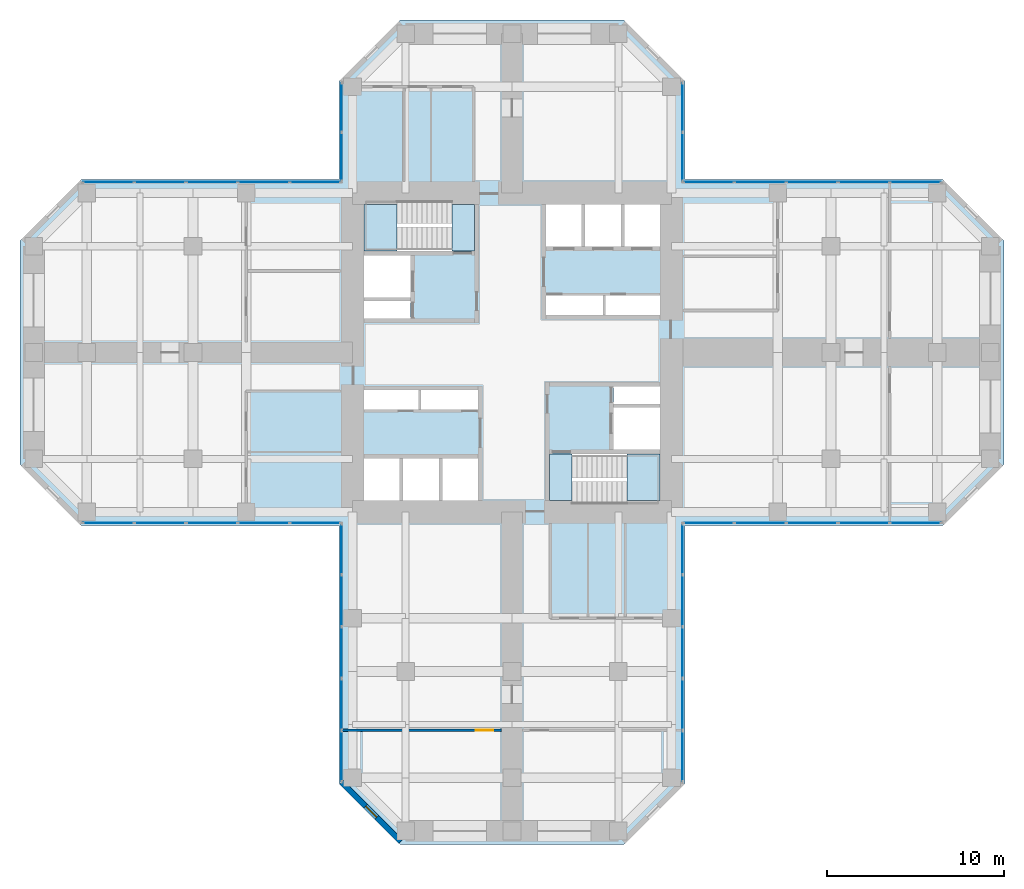
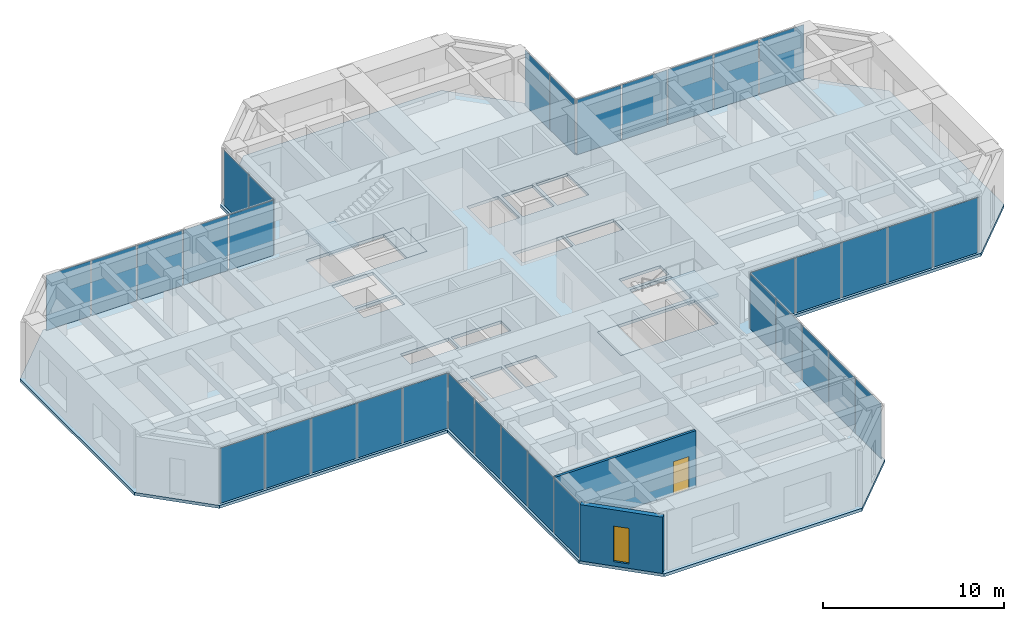
# One storey, part 7 of 12: 34 plates, 5 slabs, 2 walls, 1 door, 1 window, 2 openings, 10 elements without a shape of their own.
"""IFC4 building model written with IfcOpenShell, lengths in metres."""

from ifc_helpers import new_model, si_unit, direction, frame, frame_2d, origin, origin_2d, place, context, subcontext, project, spatial, polyline, rectangle, hollow_rectangle, outline, extrude, material, layer, layer_set, constituent, constituent_set, type_object, element, fill, aggregate, save


model = new_model("IFC4")

# Units and contexts
model_context = context("Model", 3, precision=1e-05, world=origin(), true_north=direction((0.0, 1.0)))
body_context = subcontext(model_context, "Body", "Model", "MODEL_VIEW")
ifc_project = project(units=[si_unit("LENGTHUNIT", "METRE"), si_unit("AREAUNIT", "SQUARE_METRE"), si_unit("VOLUMEUNIT", "CUBIC_METRE"), si_unit("PLANEANGLEUNIT", "RADIAN"), si_unit("MASSUNIT", "GRAM", prefix="KILO")], contexts=[model_context])

# Site, building, storey
site_placement = place(None, origin())
site = spatial("IfcSite", under=ifc_project, at=site_placement, CompositionType="ELEMENT")
building_placement = place(site_placement, origin())
building = spatial("IfcBuilding", under=site, at=building_placement, Name="Torre Cruceta", CompositionType="ELEMENT")
storey_placement = place(building_placement, frame((0.0, 0.0, 148.5)))
storey = spatial("IfcBuildingStorey", under=building, at=storey_placement, Name="L36", CompositionType="ELEMENT", Elevation=148.5)

# Curtain wall, plate
ifc_material_1 = material(Name="Aluminium unitised curtain wall", Category="aluminium")
curtain_wall_type = type_object("IfcCurtainWallType", Name="CURTAIN WALL CW-B OFFICE MID RISE", PredefinedType="USERDEFINED", material=ifc_material_1)
curtain_wall_1_placement = place(storey_placement, origin())
curtain_wall_1 = element("IfcCurtainWall", 1, at=curtain_wall_1_placement, inside=storey, type_object=curtain_wall_type, Name="CW-B L36 E side 00", ObjectType="UNITISED", PredefinedType="USERDEFINED")
ifc_material_2 = material(Name="Laminated insulating glass unit, diagonal frit 50 %", Category="glass")
ifc_material_3 = material(Name="Laminated insulating glass unit, diagonal frit 50 %", Category="glass")
ifc_layer_1 = layer(ifc_material_3, 0.031982421875)
ifc_layer_set_1 = layer_set([ifc_layer_1], Name="Laminated insulating glass unit, diagonal frit 50 %")
plate_type_1 = type_object("IfcPlateType", Name="CW-B OPERABLE VENT PANEL 32", PredefinedType="CURTAIN_PANEL", material=ifc_layer_set_1)
plate_1_placement = place(storey_placement, frame((16.9384765625, -9.6201171875, 0.010009765625), z_axis=(0.0, 0.0, 1.0), x_axis=(1.0, 0.0, 0.0)))
plate_1 = element("IfcPlate", 2, at=plate_1_placement, type_object=plate_type_1, material=ifc_material_2, Name="CW-B vent 3", PredefinedType="CURTAIN_PANEL", context=body_context, shape_type="SweptSolid", body=[
    extrude(rectangle(XDim=2.8623046875, YDim=0.031982421875, at=origin_2d()), origin(), (0.0, 0.0, 1.0), 3.72509765625),
])

curtain_wall_2_placement = place(storey_placement, origin())
curtain_wall_2 = element("IfcCurtainWall", 3, at=curtain_wall_2_placement, inside=storey, type_object=curtain_wall_type, Name="CW-B L36 E side 04", ObjectType="UNITISED", PredefinedType="USERDEFINED")
plate_2_placement = place(storey_placement, frame((16.9384765625, 9.6201171875, 0.010009765625), z_axis=(0.0, 0.0, 1.0), x_axis=(-1.0, 0.0, 0.0)))
plate_2 = element("IfcPlate", 4, at=plate_2_placement, type_object=plate_type_1, material=ifc_material_2, Name="CW-B vent 3", PredefinedType="CURTAIN_PANEL", context=body_context, shape_type="SweptSolid", body=[
    extrude(rectangle(XDim=2.8623046875, YDim=0.031982421875, at=origin_2d()), origin(), (0.0, 0.0, 1.0), 3.72509765625),
])

curtain_wall_3_placement = place(storey_placement, origin())
curtain_wall_3 = element("IfcCurtainWall", 5, at=curtain_wall_3_placement, inside=storey, type_object=curtain_wall_type, Name="CW-B L36 W side 10", ObjectType="UNITISED", PredefinedType="USERDEFINED")
plate_3_placement = place(storey_placement, frame((-16.9384765625, 9.6201171875, 0.010009765625), z_axis=(0.0, 0.0, 1.0), x_axis=(-1.0, 0.0, 0.0)))
plate_3 = element("IfcPlate", 6, at=plate_3_placement, type_object=plate_type_1, material=ifc_material_2, Name="CW-B vent 3", PredefinedType="CURTAIN_PANEL", context=body_context, shape_type="SweptSolid", body=[
    extrude(rectangle(XDim=2.8623046875, YDim=0.031982421875, at=origin_2d()), origin(), (0.0, 0.0, 1.0), 3.72509765625),
])

curtain_wall_4_placement = place(storey_placement, origin())
curtain_wall_4 = element("IfcCurtainWall", 7, at=curtain_wall_4_placement, inside=storey, type_object=curtain_wall_type, Name="CW-B L36 W side 14", ObjectType="UNITISED", PredefinedType="USERDEFINED")
plate_4_placement = place(storey_placement, frame((-16.9384765625, -9.6201171875, 0.010009765625), z_axis=(0.0, 0.0, 1.0), x_axis=(1.0, 0.0, 0.0)))
plate_4 = element("IfcPlate", 8, at=plate_4_placement, type_object=plate_type_1, material=ifc_material_2, Name="CW-B vent 3", PredefinedType="CURTAIN_PANEL", context=body_context, shape_type="SweptSolid", body=[
    extrude(rectangle(XDim=2.8623046875, YDim=0.031982421875, at=origin_2d()), origin(), (0.0, 0.0, 1.0), 3.72509765625),
])

curtain_wall_5_placement = place(storey_placement, origin())
curtain_wall_5 = element("IfcCurtainWall", 9, at=curtain_wall_5_placement, inside=storey, type_object=curtain_wall_type, Name="CW-B L36 S side 15", ObjectType="UNITISED", PredefinedType="USERDEFINED")
plate_5_placement = place(storey_placement, frame((-9.6201171875, -16.9384765625, 0.010009765625), z_axis=(0.0, 0.0, 1.0), x_axis=(0.0, -1.0, 0.0)))
plate_5 = element("IfcPlate", 10, at=plate_5_placement, type_object=plate_type_1, material=ifc_material_2, Name="CW-B vent 3", PredefinedType="CURTAIN_PANEL", context=body_context, shape_type="SweptSolid", body=[
    extrude(rectangle(XDim=2.8623046875, YDim=0.031982421875, at=origin_2d()), origin(), (0.0, 0.0, 1.0), 3.72509765625),
])

curtain_wall_6_placement = place(storey_placement, origin())
curtain_wall_6 = element("IfcCurtainWall", 11, at=curtain_wall_6_placement, inside=storey, type_object=curtain_wall_type, Name="CW-B L36 S side 19", ObjectType="UNITISED", PredefinedType="USERDEFINED")
plate_6_placement = place(storey_placement, frame((9.6201171875, -16.9384765625, 0.010009765625), z_axis=(0.0, 0.0, 1.0), x_axis=(0.0, 1.0, 0.0)))
plate_6 = element("IfcPlate", 12, at=plate_6_placement, type_object=plate_type_1, material=ifc_material_2, Name="CW-B vent 3", PredefinedType="CURTAIN_PANEL", context=body_context, shape_type="SweptSolid", body=[
    extrude(rectangle(XDim=2.8623046875, YDim=0.031982421875, at=origin_2d()), origin(), (0.0, 0.0, 1.0), 3.72509765625),
])

# Plate
ifc_material_4 = material(Name="Laminated insulating glass unit, low-iron clear", Category="glass")
ifc_material_5 = material(Name="Laminated insulating glass unit, diagonal frit 50 %", Category="glass")
ifc_layer_2 = layer(ifc_material_5, 0.031982421875)
ifc_layer_set_2 = layer_set([ifc_layer_2], Name="Laminated insulating glass unit, diagonal frit 50 %")
plate_type_2 = type_object("IfcPlateType", Name="CW-B PANEL 32", PredefinedType="CURTAIN_PANEL", material=ifc_layer_set_2)
plate_7_placement = place(storey_placement, frame((11.099853515625, -9.6201171875, 0.010009765625), z_axis=(0.0, 0.0, 1.0), x_axis=(1.0, 0.0, 0.0)))
plate_7 = element("IfcPlate", 13, at=plate_7_placement, type_object=plate_type_2, material=ifc_material_4, Name="CW-B panel 1", PredefinedType="CURTAIN_PANEL", context=body_context, shape_type="SweptSolid", body=[
    extrude(rectangle(XDim=2.829833984375, YDim=0.031982421875, at=origin_2d()), origin(), (0.0, 0.0, 1.0), 3.72509765625),
])

plate_8_placement = place(storey_placement, frame((14.010986328125, -9.6201171875, 0.010009765625), z_axis=(0.0, 0.0, 1.0), x_axis=(1.0, 0.0, 0.0)))
plate_8 = element("IfcPlate", 14, at=plate_8_placement, type_object=plate_type_2, material=ifc_material_4, Name="CW-B panel 2", PredefinedType="CURTAIN_PANEL", context=body_context, shape_type="SweptSolid", body=[
    extrude(rectangle(XDim=2.8623046875, YDim=0.031982421875, at=origin_2d()), origin(), (0.0, 0.0, 1.0), 3.72509765625),
])

plate_9_placement = place(storey_placement, frame((19.86572265625, -9.6201171875, 0.010009765625), z_axis=(0.0, 0.0, 1.0), x_axis=(1.0, 0.0, 0.0)))
plate_9 = element("IfcPlate", 15, at=plate_9_placement, type_object=plate_type_2, material=ifc_material_2, Name="CW-B panel 4", PredefinedType="CURTAIN_PANEL", context=body_context, shape_type="SweptSolid", body=[
    extrude(rectangle(XDim=2.8623046875, YDim=0.031982421875, at=origin_2d()), origin(), (0.0, 0.0, 1.0), 3.72509765625),
])

plate_10_placement = place(storey_placement, frame((22.77685546875, -9.6201171875, 0.010009765625), z_axis=(0.0, 0.0, 1.0), x_axis=(1.0, 0.0, 0.0)))
plate_10 = element("IfcPlate", 16, at=plate_10_placement, type_object=plate_type_2, material=ifc_material_2, Name="CW-B panel 5", PredefinedType="CURTAIN_PANEL", context=body_context, shape_type="SweptSolid", body=[
    extrude(rectangle(XDim=2.829833984375, YDim=0.031982421875, at=origin_2d()), origin(), (0.0, 0.0, 1.0), 3.72509765625),
])

aggregate(curtain_wall_1, [plate_7, plate_8, plate_1, plate_9, plate_10])

plate_11_placement = place(storey_placement, frame((22.77685546875, 9.6201171875, 0.010009765625), z_axis=(0.0, 0.0, 1.0), x_axis=(-1.0, 0.0, 0.0)))
plate_11 = element("IfcPlate", 17, at=plate_11_placement, type_object=plate_type_2, material=ifc_material_4, Name="CW-B panel 1", PredefinedType="CURTAIN_PANEL", context=body_context, shape_type="SweptSolid", body=[
    extrude(rectangle(XDim=2.829833984375, YDim=0.031982421875, at=origin_2d()), origin(), (0.0, 0.0, 1.0), 3.72509765625),
])

plate_12_placement = place(storey_placement, frame((19.86572265625, 9.6201171875, 0.010009765625), z_axis=(0.0, 0.0, 1.0), x_axis=(-1.0, 0.0, 0.0)))
plate_12 = element("IfcPlate", 18, at=plate_12_placement, type_object=plate_type_2, material=ifc_material_4, Name="CW-B panel 2", PredefinedType="CURTAIN_PANEL", context=body_context, shape_type="SweptSolid", body=[
    extrude(rectangle(XDim=2.8623046875, YDim=0.031982421875, at=origin_2d()), origin(), (0.0, 0.0, 1.0), 3.72509765625),
])

plate_13_placement = place(storey_placement, frame((14.010986328125, 9.6201171875, 0.010009765625), z_axis=(0.0, 0.0, 1.0), x_axis=(-1.0, 0.0, 0.0)))
plate_13 = element("IfcPlate", 19, at=plate_13_placement, type_object=plate_type_2, material=ifc_material_2, Name="CW-B panel 4", PredefinedType="CURTAIN_PANEL", context=body_context, shape_type="SweptSolid", body=[
    extrude(rectangle(XDim=2.8623046875, YDim=0.031982421875, at=origin_2d()), origin(), (0.0, 0.0, 1.0), 3.72509765625),
])

plate_14_placement = place(storey_placement, frame((11.099853515625, 9.6201171875, 0.010009765625), z_axis=(0.0, 0.0, 1.0), x_axis=(-1.0, 0.0, 0.0)))
plate_14 = element("IfcPlate", 20, at=plate_14_placement, type_object=plate_type_2, material=ifc_material_2, Name="CW-B panel 5", PredefinedType="CURTAIN_PANEL", context=body_context, shape_type="SweptSolid", body=[
    extrude(rectangle(XDim=2.829833984375, YDim=0.031982421875, at=origin_2d()), origin(), (0.0, 0.0, 1.0), 3.72509765625),
])

aggregate(curtain_wall_2, [plate_11, plate_12, plate_2, plate_13, plate_14])

# Curtain wall, plates
curtain_wall_7_placement = place(storey_placement, origin())
curtain_wall_7 = element("IfcCurtainWall", 21, at=curtain_wall_7_placement, inside=storey, type_object=curtain_wall_type, Name="CW-B L36 N side 05", ObjectType="UNITISED", PredefinedType="USERDEFINED")
plate_15_placement = place(storey_placement, frame((9.6201171875, 11.04541015625, 0.010009765625), z_axis=(0.0, 0.0, 1.0), x_axis=(0.0, 1.0, 0.0)))
plate_15 = element("IfcPlate", 22, at=plate_15_placement, type_object=plate_type_2, material=ifc_material_4, Name="CW-B panel 1", PredefinedType="CURTAIN_PANEL", context=body_context, shape_type="SweptSolid", body=[
    extrude(rectangle(XDim=2.720947265625, YDim=0.031982421875, at=origin_2d()), origin(), (0.0, 0.0, 1.0), 3.72509765625),
])
plate_16_placement = place(storey_placement, frame((9.6201171875, 13.831298828125, 0.010009765625), z_axis=(0.0, 0.0, 1.0), x_axis=(0.0, 1.0, 0.0)))
plate_16 = element("IfcPlate", 23, at=plate_16_placement, type_object=plate_type_2, material=ifc_material_4, Name="CW-B panel 2", PredefinedType="CURTAIN_PANEL", context=body_context, shape_type="SweptSolid", body=[
    extrude(rectangle(XDim=2.720947265625, YDim=0.031982421875, at=origin_2d()), origin(), (0.0, 0.0, 1.0), 3.72509765625),
])
aggregate(curtain_wall_7, [plate_15, plate_16])

curtain_wall_8_placement = place(storey_placement, origin())
curtain_wall_8 = element("IfcCurtainWall", 24, at=curtain_wall_8_placement, inside=storey, type_object=curtain_wall_type, Name="CW-B L36 N side 09", ObjectType="UNITISED", PredefinedType="USERDEFINED")
plate_17_placement = place(storey_placement, frame((-9.6201171875, 13.831298828125, 0.010009765625), z_axis=(0.0, 0.0, 1.0), x_axis=(0.0, -1.0, 0.0)))
plate_17 = element("IfcPlate", 25, at=plate_17_placement, type_object=plate_type_2, material=ifc_material_4, Name="CW-B panel 1", PredefinedType="CURTAIN_PANEL", context=body_context, shape_type="SweptSolid", body=[
    extrude(rectangle(XDim=2.720947265625, YDim=0.031982421875, at=origin_2d()), origin(), (0.0, 0.0, 1.0), 3.72509765625),
])
plate_18_placement = place(storey_placement, frame((-9.6201171875, 11.04541015625, 0.010009765625), z_axis=(0.0, 0.0, 1.0), x_axis=(0.0, -1.0, 0.0)))
plate_18 = element("IfcPlate", 26, at=plate_18_placement, type_object=plate_type_2, material=ifc_material_4, Name="CW-B panel 2", PredefinedType="CURTAIN_PANEL", context=body_context, shape_type="SweptSolid", body=[
    extrude(rectangle(XDim=2.720947265625, YDim=0.031982421875, at=origin_2d()), origin(), (0.0, 0.0, 1.0), 3.72509765625),
])
aggregate(curtain_wall_8, [plate_17, plate_18])

# Plate
plate_19_placement = place(storey_placement, frame((-11.099853515625, 9.6201171875, 0.010009765625), z_axis=(0.0, 0.0, 1.0), x_axis=(-1.0, 0.0, 0.0)))
plate_19 = element("IfcPlate", 27, at=plate_19_placement, type_object=plate_type_2, material=ifc_material_4, Name="CW-B panel 1", PredefinedType="CURTAIN_PANEL", context=body_context, shape_type="SweptSolid", body=[
    extrude(rectangle(XDim=2.829833984375, YDim=0.031982421875, at=origin_2d()), origin(), (0.0, 0.0, 1.0), 3.72509765625),
])

plate_20_placement = place(storey_placement, frame((-14.010986328125, 9.6201171875, 0.010009765625), z_axis=(0.0, 0.0, 1.0), x_axis=(-1.0, 0.0, 0.0)))
plate_20 = element("IfcPlate", 28, at=plate_20_placement, type_object=plate_type_2, material=ifc_material_4, Name="CW-B panel 2", PredefinedType="CURTAIN_PANEL", context=body_context, shape_type="SweptSolid", body=[
    extrude(rectangle(XDim=2.8623046875, YDim=0.031982421875, at=origin_2d()), origin(), (0.0, 0.0, 1.0), 3.72509765625),
])

plate_21_placement = place(storey_placement, frame((-19.86572265625, 9.6201171875, 0.010009765625), z_axis=(0.0, 0.0, 1.0), x_axis=(-1.0, 0.0, 0.0)))
plate_21 = element("IfcPlate", 29, at=plate_21_placement, type_object=plate_type_2, material=ifc_material_2, Name="CW-B panel 4", PredefinedType="CURTAIN_PANEL", context=body_context, shape_type="SweptSolid", body=[
    extrude(rectangle(XDim=2.8623046875, YDim=0.031982421875, at=origin_2d()), origin(), (0.0, 0.0, 1.0), 3.72509765625),
])

plate_22_placement = place(storey_placement, frame((-22.77685546875, 9.6201171875, 0.010009765625), z_axis=(0.0, 0.0, 1.0), x_axis=(-1.0, 0.0, 0.0)))
plate_22 = element("IfcPlate", 30, at=plate_22_placement, type_object=plate_type_2, material=ifc_material_2, Name="CW-B panel 5", PredefinedType="CURTAIN_PANEL", context=body_context, shape_type="SweptSolid", body=[
    extrude(rectangle(XDim=2.829833984375, YDim=0.031982421875, at=origin_2d()), origin(), (0.0, 0.0, 1.0), 3.72509765625),
])

aggregate(curtain_wall_3, [plate_19, plate_20, plate_3, plate_21, plate_22])

plate_23_placement = place(storey_placement, frame((-22.77685546875, -9.6201171875, 0.010009765625), z_axis=(0.0, 0.0, 1.0), x_axis=(1.0, 0.0, 0.0)))
plate_23 = element("IfcPlate", 31, at=plate_23_placement, type_object=plate_type_2, material=ifc_material_4, Name="CW-B panel 1", PredefinedType="CURTAIN_PANEL", context=body_context, shape_type="SweptSolid", body=[
    extrude(rectangle(XDim=2.829833984375, YDim=0.031982421875, at=origin_2d()), origin(), (0.0, 0.0, 1.0), 3.72509765625),
])

plate_24_placement = place(storey_placement, frame((-19.86572265625, -9.6201171875, 0.010009765625), z_axis=(0.0, 0.0, 1.0), x_axis=(1.0, 0.0, 0.0)))
plate_24 = element("IfcPlate", 32, at=plate_24_placement, type_object=plate_type_2, material=ifc_material_4, Name="CW-B panel 2", PredefinedType="CURTAIN_PANEL", context=body_context, shape_type="SweptSolid", body=[
    extrude(rectangle(XDim=2.8623046875, YDim=0.031982421875, at=origin_2d()), origin(), (0.0, 0.0, 1.0), 3.72509765625),
])

plate_25_placement = place(storey_placement, frame((-14.010986328125, -9.6201171875, 0.010009765625), z_axis=(0.0, 0.0, 1.0), x_axis=(1.0, 0.0, 0.0)))
plate_25 = element("IfcPlate", 33, at=plate_25_placement, type_object=plate_type_2, material=ifc_material_2, Name="CW-B panel 4", PredefinedType="CURTAIN_PANEL", context=body_context, shape_type="SweptSolid", body=[
    extrude(rectangle(XDim=2.8623046875, YDim=0.031982421875, at=origin_2d()), origin(), (0.0, 0.0, 1.0), 3.72509765625),
])

plate_26_placement = place(storey_placement, frame((-11.099853515625, -9.6201171875, 0.010009765625), z_axis=(0.0, 0.0, 1.0), x_axis=(1.0, 0.0, 0.0)))
plate_26 = element("IfcPlate", 34, at=plate_26_placement, type_object=plate_type_2, material=ifc_material_2, Name="CW-B panel 5", PredefinedType="CURTAIN_PANEL", context=body_context, shape_type="SweptSolid", body=[
    extrude(rectangle(XDim=2.829833984375, YDim=0.031982421875, at=origin_2d()), origin(), (0.0, 0.0, 1.0), 3.72509765625),
])

aggregate(curtain_wall_4, [plate_23, plate_24, plate_4, plate_25, plate_26])

plate_27_placement = place(storey_placement, frame((-9.6201171875, -11.099853515625, 0.010009765625), z_axis=(0.0, 0.0, 1.0), x_axis=(0.0, -1.0, 0.0)))
plate_27 = element("IfcPlate", 35, at=plate_27_placement, type_object=plate_type_2, material=ifc_material_4, Name="CW-B panel 1", PredefinedType="CURTAIN_PANEL", context=body_context, shape_type="SweptSolid", body=[
    extrude(rectangle(XDim=2.829833984375, YDim=0.031982421875, at=origin_2d()), origin(), (0.0, 0.0, 1.0), 3.72509765625),
])

plate_28_placement = place(storey_placement, frame((-9.6201171875, -14.010986328125, 0.010009765625), z_axis=(0.0, 0.0, 1.0), x_axis=(0.0, -1.0, 0.0)))
plate_28 = element("IfcPlate", 36, at=plate_28_placement, type_object=plate_type_2, material=ifc_material_4, Name="CW-B panel 2", PredefinedType="CURTAIN_PANEL", context=body_context, shape_type="SweptSolid", body=[
    extrude(rectangle(XDim=2.8623046875, YDim=0.031982421875, at=origin_2d()), origin(), (0.0, 0.0, 1.0), 3.72509765625),
])

plate_29_placement = place(storey_placement, frame((-9.6201171875, -19.86572265625, 0.010009765625), z_axis=(0.0, 0.0, 1.0), x_axis=(0.0, -1.0, 0.0)))
plate_29 = element("IfcPlate", 37, at=plate_29_placement, type_object=plate_type_2, material=ifc_material_2, Name="CW-B panel 4", PredefinedType="CURTAIN_PANEL", context=body_context, shape_type="SweptSolid", body=[
    extrude(rectangle(XDim=2.8623046875, YDim=0.031982421875, at=origin_2d()), origin(), (0.0, 0.0, 1.0), 3.72509765625),
])

plate_30_placement = place(storey_placement, frame((-9.6201171875, -22.77685546875, 0.010009765625), z_axis=(0.0, 0.0, 1.0), x_axis=(0.0, -1.0, 0.0)))
plate_30 = element("IfcPlate", 38, at=plate_30_placement, type_object=plate_type_2, material=ifc_material_2, Name="CW-B panel 5", PredefinedType="CURTAIN_PANEL", context=body_context, shape_type="SweptSolid", body=[
    extrude(rectangle(XDim=2.829833984375, YDim=0.031982421875, at=origin_2d()), origin(), (0.0, 0.0, 1.0), 3.72509765625),
])

aggregate(curtain_wall_5, [plate_27, plate_28, plate_5, plate_29, plate_30])

plate_31_placement = place(storey_placement, frame((9.6201171875, -22.77685546875, 0.010009765625), z_axis=(0.0, 0.0, 1.0), x_axis=(0.0, 1.0, 0.0)))
plate_31 = element("IfcPlate", 39, at=plate_31_placement, type_object=plate_type_2, material=ifc_material_4, Name="CW-B panel 1", PredefinedType="CURTAIN_PANEL", context=body_context, shape_type="SweptSolid", body=[
    extrude(rectangle(XDim=2.829833984375, YDim=0.031982421875, at=origin_2d()), origin(), (0.0, 0.0, 1.0), 3.72509765625),
])

plate_32_placement = place(storey_placement, frame((9.6201171875, -19.86572265625, 0.010009765625), z_axis=(0.0, 0.0, 1.0), x_axis=(0.0, 1.0, 0.0)))
plate_32 = element("IfcPlate", 40, at=plate_32_placement, type_object=plate_type_2, material=ifc_material_4, Name="CW-B panel 2", PredefinedType="CURTAIN_PANEL", context=body_context, shape_type="SweptSolid", body=[
    extrude(rectangle(XDim=2.8623046875, YDim=0.031982421875, at=origin_2d()), origin(), (0.0, 0.0, 1.0), 3.72509765625),
])

plate_33_placement = place(storey_placement, frame((9.6201171875, -14.010986328125, 0.010009765625), z_axis=(0.0, 0.0, 1.0), x_axis=(0.0, 1.0, 0.0)))
plate_33 = element("IfcPlate", 41, at=plate_33_placement, type_object=plate_type_2, material=ifc_material_2, Name="CW-B panel 4", PredefinedType="CURTAIN_PANEL", context=body_context, shape_type="SweptSolid", body=[
    extrude(rectangle(XDim=2.8623046875, YDim=0.031982421875, at=origin_2d()), origin(), (0.0, 0.0, 1.0), 3.72509765625),
])

plate_34_placement = place(storey_placement, frame((9.6201171875, -11.099853515625, 0.010009765625), z_axis=(0.0, 0.0, 1.0), x_axis=(0.0, 1.0, 0.0)))
plate_34 = element("IfcPlate", 42, at=plate_34_placement, type_object=plate_type_2, material=ifc_material_2, Name="CW-B panel 5", PredefinedType="CURTAIN_PANEL", context=body_context, shape_type="SweptSolid", body=[
    extrude(rectangle(XDim=2.829833984375, YDim=0.031982421875, at=origin_2d()), origin(), (0.0, 0.0, 1.0), 3.72509765625),
])

aggregate(curtain_wall_6, [plate_31, plate_32, plate_6, plate_33, plate_34])

# Slab
ifc_material_6 = material(Name="Concrete G35 (fck 35 MPa)", Category="concrete")
ifc_layer_3 = layer(ifc_material_6, 0.199951171875)
ifc_layer_set_3 = layer_set([ifc_layer_3], Name="Concrete G35 (fck 35 MPa)")
slab_type_1 = type_object("IfcSlabType", Name="FLOOR SLAB 200", PredefinedType="FLOOR", material=ifc_layer_set_3)
slab_1_placement = place(storey_placement, frame((0.0, 0.0, -0.199951171875)))
element("IfcSlab", 43, at=slab_1_placement, inside=storey, type_object=slab_type_1, Name="Floor Slab L36", PredefinedType="FLOOR", context=body_context, shape_type="SweptSolid", body=[
    extrude(outline(polyline([(9.77001953125, -9.77001953125), (9.77001953125, -24.31884765625), (6.31884765625, -27.77001953125), (-6.31884765625, -27.77001953125), (-9.77001953125, -24.31884765625), (-9.77001953125, -9.77001953125), (-24.31884765625, -9.77001953125), (-27.77001953125, -6.31884765625), (-27.77001953125, 6.31884765625), (-24.31884765625, 9.77001953125), (-9.77001953125, 9.77001953125), (-9.77001953125, 15.31884765625), (-6.31884765625, 18.77001953125), (6.31884765625, 18.77001953125), (9.77001953125, 15.31884765625), (9.77001953125, 9.77001953125), (24.31884765625, 9.77001953125), (27.77001953125, 6.31884765625), (27.77001953125, -6.31884765625), (24.31884765625, -9.77001953125), (9.77001953125, -9.77001953125)]), holes=[polyline([(1.925048828125, 5.97509765625), (3.933349609375, 5.97509765625), (3.933349609375, 8.35009765625), (1.925048828125, 8.35009765625), (1.925048828125, 5.97509765625)]), polyline([(4.13330078125, 5.97509765625), (6.1416015625, 5.97509765625), (6.1416015625, 8.35009765625), (4.13330078125, 8.35009765625), (4.13330078125, 5.97509765625)]), polyline([(6.341552734375, 5.97509765625), (8.35009765625, 5.97509765625), (8.35009765625, 8.35009765625), (6.341552734375, 8.35009765625), (6.341552734375, 5.97509765625)]), polyline([(1.925048828125, 2.125), (5.125, 2.125), (5.125, 3.22509765625), (1.925048828125, 3.22509765625), (1.925048828125, 2.125)]), polyline([(5.27490234375, 2.125), (8.35009765625, 2.125), (8.35009765625, 3.22509765625), (5.27490234375, 3.22509765625), (5.27490234375, 2.125)]), polyline([(-8.35009765625, 3.10009765625), (-5.72509765625, 3.10009765625), (-5.72509765625, 5.47509765625), (-8.35009765625, 5.47509765625), (-8.35009765625, 3.10009765625)]), polyline([(-8.35009765625, 1.925048828125), (-5.72509765625, 1.925048828125), (-5.72509765625, 2.89990234375), (-8.35009765625, 2.89990234375), (-8.35009765625, 1.925048828125)]), polyline([(-3.933349609375, -8.35009765625), (-1.925048828125, -8.35009765625), (-1.925048828125, -5.97509765625), (-3.933349609375, -5.97509765625), (-3.933349609375, -8.35009765625)]), polyline([(-6.1416015625, -8.35009765625), (-4.13330078125, -8.35009765625), (-4.13330078125, -5.97509765625), (-6.1416015625, -5.97509765625), (-6.1416015625, -8.35009765625)]), polyline([(-8.35009765625, -8.35009765625), (-6.341552734375, -8.35009765625), (-6.341552734375, -5.97509765625), (-8.35009765625, -5.97509765625), (-8.35009765625, -8.35009765625)]), polyline([(-5.125, -3.22509765625), (-1.925048828125, -3.22509765625), (-1.925048828125, -2.125), (-5.125, -2.125), (-5.125, -3.22509765625)]), polyline([(-8.35009765625, -3.22509765625), (-5.27490234375, -3.22509765625), (-5.27490234375, -2.125), (-8.35009765625, -2.125), (-8.35009765625, -3.22509765625)]), polyline([(5.72509765625, -5.47509765625), (8.35009765625, -5.47509765625), (8.35009765625, -3.10009765625), (5.72509765625, -3.10009765625), (5.72509765625, -5.47509765625)]), polyline([(5.72509765625, -2.89990234375), (8.35009765625, -2.89990234375), (8.35009765625, -1.925048828125), (5.72509765625, -1.925048828125), (5.72509765625, -2.89990234375)]), polyline([(-8.35009765625, 5.72509765625), (-8.35009765625, 8.35009765625), (-3.39990234375, 8.35009765625), (-2.125, 8.35009765625), (-2.125, 5.72509765625), (-3.39990234375, 5.72509765625), (-8.35009765625, 5.72509765625)]), polyline([(2.125, -5.72509765625), (3.39990234375, -5.72509765625), (8.35009765625, -5.72509765625), (8.35009765625, -8.35009765625), (3.39990234375, -8.35009765625), (2.125, -8.35009765625), (2.125, -5.72509765625)])]), origin(), (0.0, 0.0, 1.0), 0.199951171875),
])

# Stair, slab
ifc_material_7 = material(Name="Concrete G30 (fck 30 MPa)", Category="concrete")
stair_type = type_object("IfcStairType", Name="STAIR HALF-TURN 1300", PredefinedType="HALF_TURN_STAIR", material=ifc_material_7)
stair_1_placement = place(storey_placement, origin())
stair_1 = element("IfcStair", 44, at=stair_1_placement, inside=storey, type_object=stair_type, Name="Stair ST1 L36", PredefinedType="HALF_TURN_STAIR")
ifc_material_8 = material(Name="Concrete G30 (fck 30 MPa)", Category="concrete")
ifc_layer_4 = layer(ifc_material_8, 0.199951171875)
ifc_layer_set_4 = layer_set([ifc_layer_4], Name="Concrete G30 (fck 30 MPa)")
slab_type_2 = type_object("IfcSlabType", Name="STAIR LANDING 200", PredefinedType="LANDING", material=ifc_layer_set_4)
slab_2_placement = place(storey_placement, frame((0.0, 0.0, 1.800048828125)))
slab_2 = element("IfcSlab", 45, at=slab_2_placement, type_object=slab_type_2, Name="ST1 landing 1", PredefinedType="LANDING", context=body_context, shape_type="SweptSolid", body=[
    extrude(outline(polyline([(-8.35009765625, 5.72509765625), (-6.47998046875, 5.72509765625), (-6.47998046875, 8.35009765625), (-8.35009765625, 8.35009765625), (-8.35009765625, 5.72509765625)])), origin(), (0.0, 0.0, 1.0), 0.199951171875),
])
aggregate(stair_1, [slab_2])

stair_2_placement = place(storey_placement, origin())
stair_2 = element("IfcStair", 46, at=stair_2_placement, inside=storey, type_object=stair_type, Name="Stair ST2 L36", PredefinedType="HALF_TURN_STAIR")
slab_3_placement = place(storey_placement, frame((0.0, 0.0, 1.800048828125)))
slab_3 = element("IfcSlab", 47, at=slab_3_placement, type_object=slab_type_2, Name="ST2 landing 1", PredefinedType="LANDING", context=body_context, shape_type="SweptSolid", body=[
    extrude(outline(polyline([(6.47998046875, -8.35009765625), (8.35009765625, -8.35009765625), (8.35009765625, -5.72509765625), (6.47998046875, -5.72509765625), (6.47998046875, -8.35009765625)])), origin(), (0.0, 0.0, 1.0), 0.199951171875),
])
aggregate(stair_2, [slab_3])

# Slabs
slab_4_placement = place(storey_placement, frame((0.0, 0.0, -0.199951171875)))
element("IfcSlab", 48, at=slab_4_placement, inside=storey, type_object=slab_type_2, Name="Stair ST1 floor landing L36", PredefinedType="LANDING", context=body_context, shape_type="SweptSolid", body=[
    extrude(outline(polyline([(-2.125, 8.35009765625), (-2.125, 5.72509765625), (-3.39990234375, 5.72509765625), (-3.39990234375, 8.35009765625), (-2.125, 8.35009765625)])), origin(), (0.0, 0.0, 1.0), 0.199951171875),
])
slab_5_placement = place(storey_placement, frame((0.0, 0.0, -0.199951171875)))
element("IfcSlab", 49, at=slab_5_placement, inside=storey, type_object=slab_type_2, Name="Stair ST2 floor landing L36", PredefinedType="LANDING", context=body_context, shape_type="SweptSolid", body=[
    extrude(outline(polyline([(2.125, -8.35009765625), (2.125, -5.72509765625), (3.39990234375, -5.72509765625), (3.39990234375, -8.35009765625), (2.125, -8.35009765625)])), origin(), (0.0, 0.0, 1.0), 0.199951171875),
])

# Wall, opening, window
ifc_material_9 = material(Name="Concrete G30 (fck 30 MPa)", Category="concrete")
ifc_layer_5 = layer(ifc_material_9, 0.300048828125)
ifc_layer_set_5 = layer_set([ifc_layer_5], Name="Concrete G30 (fck 30 MPa)")
wall_type_1 = type_object("IfcWallType", Name="EXPOSED CONCRETE FACADE WALL 300", PredefinedType="SOLIDWALL", material=ifc_layer_set_5)
wall_1_placement = place(storey_placement, frame((-9.6201171875, -24.2568359375, 0.0), z_axis=(0.0, 0.0, 1.0), x_axis=(0.707106781187, -0.707106781187, 0.0)))
wall_1 = element("IfcWall", 50, at=wall_1_placement, inside=storey, type_object=wall_type_1, Name="EW1 facade wall L36 S chamfer 16", PredefinedType="SOLIDWALL", context=body_context, shape_type="SweptSolid", body=[
    extrude(rectangle(XDim=4.72802734375, YDim=0.300048828125, at=frame_2d((2.364013671875, 0.0))), origin(), (0.0, 0.0, 1.0), 3.800048828125),
])
opening_1_placement = place(wall_1_placement, frame((1.9140625, 0.0, 0.300048828125)))
opening_1 = element("IfcOpeningElement", 51, at=opening_1_placement, cuts=wall_1, Name="Opening WN5", PredefinedType="OPENING", context=body_context, shape_type="SweptSolid", body=[
    extrude(rectangle(XDim=0.89990234375, YDim=2.39990234375, at=frame_2d((0.449951171875, 1.199951171875))), frame((0.0, 0.159912109375, 0.0), z_axis=(0.0, -1.0, 0.0), x_axis=(1.0, 0.0, 0.0)), (0.0, 0.0, 1.0), 0.320068359375),
])
ifc_material_10 = material(Name="Aluminium window frame", Category="aluminium")
ifc_constituent_1 = constituent(ifc_material_10, Name="Frame")
ifc_material_11 = material(Name="Laminated insulating glass unit, low-iron clear", Category="glass")
ifc_constituent_2 = constituent(ifc_material_11, Name="Glazing")
ifc_constituent_set_1 = constituent_set(constituents=[ifc_constituent_1, ifc_constituent_2], Name="Aluminium window")
window_type = type_object("IfcWindowType", Name="CHAMFER SLOT WINDOW 900X2400", PartitioningType="SINGLE_PANEL", PredefinedType="WINDOW", material=ifc_constituent_set_1)
window_placement = place(opening_1_placement, origin())
window = element("IfcWindow", 52, at=window_placement, inside=storey, type_object=window_type, Name="WN5 L36 S 1", OverallHeight=2.39990234375, OverallWidth=0.89990234375, PartitioningType="SINGLE_PANEL", PredefinedType="WINDOW", context=body_context, shape_type="SweptSolid", body=[
    extrude(hollow_rectangle(XDim=0.89990234375, YDim=2.39990234375, WallThickness=0.06005859375, at=frame_2d((0.449951171875, 1.199951171875))), frame((0.0, 0.030029296875, 0.0), z_axis=(0.0, -1.0, 0.0), x_axis=(1.0, 0.0, 0.0)), (0.0, 0.0, 1.0), 0.06005859375),
    extrude(rectangle(XDim=0.77880859375, YDim=2.27880859375, at=frame_2d((0.449951171875, 1.199951171875))), frame((0.0, 0.030029296875, 0.0), z_axis=(0.0, -1.0, 0.0), x_axis=(1.0, 0.0, 0.0)), (0.0, 0.0, 1.0), 0.06005859375),
])
fill(opening_1, window)

# Wall, opening, door
ifc_material_12 = material(Name="Plasterboard on steel studs", Category="steel")
ifc_layer_6 = layer(ifc_material_12, 0.14990234375)
ifc_layer_set_6 = layer_set([ifc_layer_6], Name="Plasterboard on steel studs")
wall_type_2 = type_object("IfcWallType", Name="PARTITION 150", PredefinedType="PARTITIONING", material=ifc_layer_set_6)
wall_2_placement = place(storey_placement, frame((-9.580078125, -21.320068359375, 0.0), z_axis=(0.0, 0.0, 1.0), x_axis=(1.0, 0.0, 0.0)))
wall_2 = element("IfcWall", 53, at=wall_2_placement, inside=storey, type_object=wall_type_2, Name="PT1 L36-S-TWR", PredefinedType="PARTITIONING", context=body_context, shape_type="SweptSolid", body=[
    extrude(rectangle(XDim=8.97998046875, YDim=0.14990234375, at=frame_2d((4.489990234375, 0.0))), origin(), (0.0, 0.0, 1.0), 3.800048828125),
])
opening_2_placement = place(wall_2_placement, frame((7.530029296875, 0.0, 0.0)))
opening_2 = element("IfcOpeningElement", 54, at=opening_2_placement, cuts=wall_2, Name="Opening D14", PredefinedType="OPENING", context=body_context, shape_type="SweptSolid", body=[
    extrude(rectangle(XDim=1.0, YDim=2.199951171875, at=frame_2d((0.5, 1.10009765625))), frame((0.0, 0.0849609375, 0.0), z_axis=(0.0, -1.0, 0.0), x_axis=(1.0, 0.0, 0.0)), (0.0, 0.0, 1.0), 0.169921875),
])
ifc_material_13 = material(Name="Steel DX51D", Category="steel")
ifc_constituent_3 = constituent(ifc_material_13, Name="Leaf and frame")
ifc_material_14 = material(Name="Polyester powder coating", Category="paint")
ifc_constituent_4 = constituent(ifc_material_14, Name="Finish")
ifc_material_15 = material(Name="Fire-resisting glass", Category="glass")
ifc_constituent_5 = constituent(ifc_material_15, Name="Vision panel")
ifc_constituent_set_2 = constituent_set(constituents=[ifc_constituent_3, ifc_constituent_4, ifc_constituent_5], Name="Steel fire door with vision panel")
door_type = type_object("IfcDoorType", Name="FIRE DOOR VISION PANEL 1000X2200", OperationType="SINGLE_SWING_RIGHT", PredefinedType="DOOR", material=ifc_constituent_set_2)
door_placement = place(opening_2_placement, frame((1.0, 0.0, 0.0), z_axis=(0.0, 0.0, 1.0), x_axis=(-1.0, 0.0, 0.0)))
door = element("IfcDoor", 55, at=door_placement, inside=storey, type_object=door_type, Name="D14 L36-S-TWR-D1", OperationType="SINGLE_SWING_LEFT", OverallHeight=2.199951171875, OverallWidth=1.0, PredefinedType="DOOR", context=body_context, shape_type="SweptSolid", body=[
    extrude(rectangle(XDim=1.0, YDim=2.199951171875, at=frame_2d((0.5, 1.10009765625))), frame((0.0, 0.025146484375, 0.0), z_axis=(0.0, -1.0, 0.0), x_axis=(1.0, 0.0, 0.0)), (0.0, 0.0, 1.0), 0.050048828125),
])
fill(opening_2, door)

save(model, "model.ifc")
